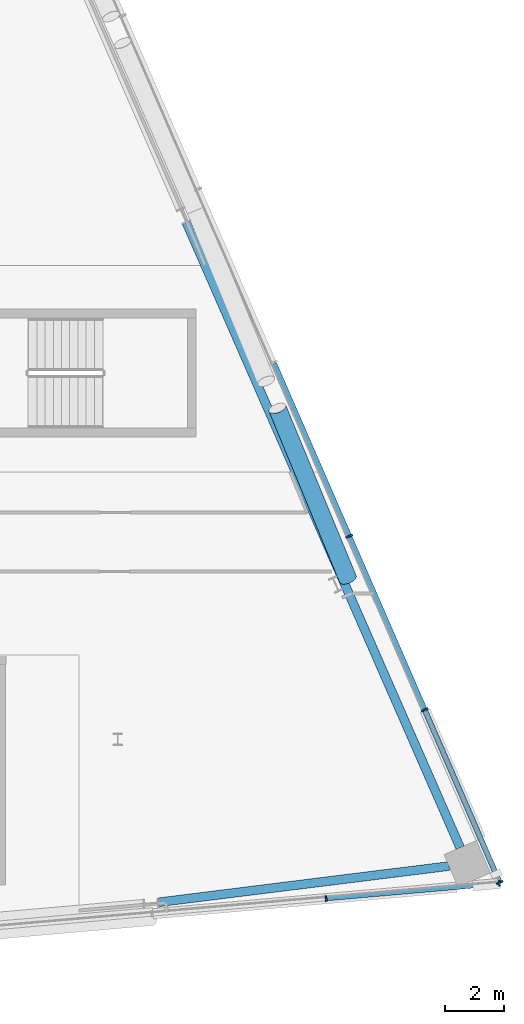
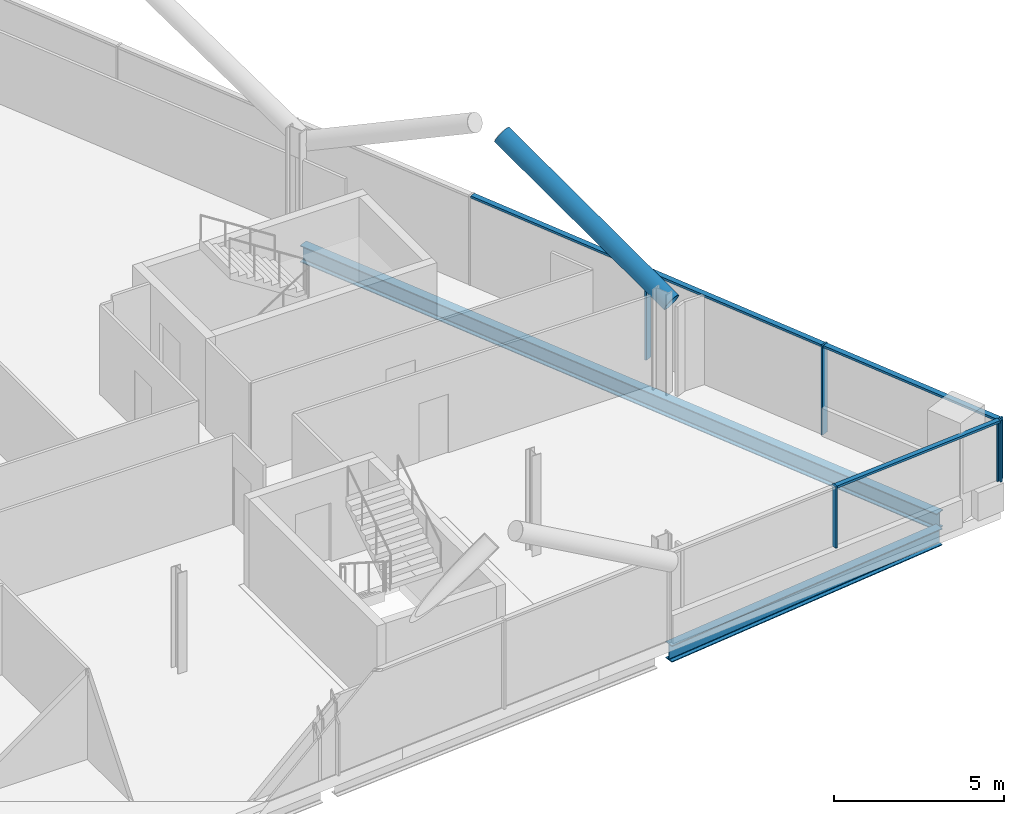
# One storey, part 12 of 27: 10 members, 2 beams, 2 elements without a shape of their own.
"""IFC4 building model written with IfcOpenShell, lengths in metres."""

from ifc_helpers import new_model, si_unit, direction, frame, origin, origin_2d, place, context, subcontext, project, spatial, rectangle, hollow_circle, i_section, extrude, material, material_profile, profile_set, type_object, element, aggregate, save


model = new_model("IFC4")

# Units and contexts
model_context = context("Model", 3, precision=1e-05, world=origin(), true_north=direction((0.0, 1.0)))
body_context = subcontext(model_context, "Body", "Model", "MODEL_VIEW")
ifc_project = project(units=[si_unit("LENGTHUNIT", "METRE"), si_unit("AREAUNIT", "SQUARE_METRE"), si_unit("VOLUMEUNIT", "CUBIC_METRE"), si_unit("PLANEANGLEUNIT", "RADIAN"), si_unit("MASSUNIT", "GRAM", prefix="KILO")], contexts=[model_context])

# Site, building, storey
site_placement = place(None, origin())
site = spatial("IfcSite", under=ifc_project, at=site_placement, CompositionType="ELEMENT")
building_placement = place(site_placement, origin())
building = spatial("IfcBuilding", under=site, at=building_placement, Name="Wharfspan Tower", CompositionType="ELEMENT")
storey_placement = place(building_placement, frame((0.0, 0.0, 210.699951)))
storey = spatial("IfcBuildingStorey", under=building, at=storey_placement, Name="L52", CompositionType="ELEMENT", Elevation=210.699951)

# Beams
ifc_material_1 = material(Name="Steel S355J2", Category="steel")
ifc_material_profile_1 = material_profile(ifc_material_1, i_section(OverallWidth=0.300049, OverallDepth=0.600098, WebThickness=0.015381, FlangeThickness=0.030029, FilletRadius=0.0271, at=origin_2d()))
ifc_profile_set_1 = profile_set([ifc_material_profile_1], Name="Steel S355J2")
beam_type = type_object("IfcBeamType", Name="Edge beam HEB 600", PredefinedType="SPANDREL", material=ifc_profile_set_1)
beam_1_placement = place(storey_placement, frame((73.391602, 5.955322, -0.699951), z_axis=(0.992301, 0.123848, 0.0), x_axis=(-0.123848, 0.992301, 0.0)))
element("IfcBeam", 1, at=beam_1_placement, inside=storey, type_object=beam_type, Name="Edge beam S2 L52 PS2.2 to MC4", PredefinedType="SPANDREL", context=body_context, shape_type="SweptSolid", body=[
    extrude(i_section(OverallWidth=0.300049, OverallDepth=0.600098, WebThickness=0.015381, FlangeThickness=0.030029, FilletRadius=0.0271, at=origin_2d()), origin(), (0.0, 0.0, 1.0), 9.951172),
])
beam_2_placement = place(storey_placement, frame((83.643799, 7.810547, -0.699951), z_axis=(-0.401141, 0.916016, 0.0), x_axis=(-0.916016, -0.401141, 0.0)))
element("IfcBeam", 2, at=beam_2_placement, inside=storey, type_object=beam_type, Name="Edge beam E L52 MC4 to PE.2", PredefinedType="SPANDREL", context=body_context, shape_type="SweptSolid", body=[
    extrude(i_section(OverallWidth=0.300049, OverallDepth=0.600098, WebThickness=0.015381, FlangeThickness=0.030029, FilletRadius=0.0271, at=origin_2d()), origin(), (0.0, 0.0, 1.0), 23.196045),
])

# Curtain wall, members
ifc_material_2 = material(Name="Aluminium 6063-T6", Category="aluminium")
curtain_wall_type_1 = type_object("IfcCurtainWallType", Name="CURTAIN WALL FACETED FRONT", PredefinedType="NOTDEFINED", material=ifc_material_2)
curtain_wall_1_placement = place(storey_placement, origin())
curtain_wall_1 = element("IfcCurtainWall", 3, at=curtain_wall_1_placement, inside=storey, type_object=curtain_wall_type_1, Name="Curtain wall S2", PredefinedType="NOTDEFINED")
ifc_material_profile_2 = material_profile(ifc_material_2, rectangle(XDim=0.199951, YDim=0.060059, at=origin_2d()))
ifc_profile_set_2 = profile_set([ifc_material_profile_2], Name="Aluminium 6063-T6")
member_type_1 = type_object("IfcMemberType", Name="MULLION FACETED FRONT 60x200", PredefinedType="MULLION", material=ifc_profile_set_2)
member_1_placement = place(storey_placement, frame((79.083252, 6.082275, 1.0), z_axis=(0.0, 0.0, 1.0), x_axis=(-0.087156, 0.996197, 0.0)))
member_1 = element("IfcMember", 4, at=member_1_placement, type_object=member_type_1, Name="Curtain wall S2 mullion 6", PredefinedType="MULLION", context=body_context, shape_type="SweptSolid", body=[
    extrude(rectangle(XDim=0.199951, YDim=0.060059, at=origin_2d()), origin(), (0.0, 0.0, 1.0), 2.199951),
])
member_2_placement = place(storey_placement, frame((84.970215, 6.597412, 1.0), z_axis=(0.0, 0.0, 1.0), x_axis=(-0.087156, 0.996197, 0.0)))
member_2 = element("IfcMember", 5, at=member_2_placement, type_object=member_type_1, Name="Curtain wall S2 mullion 7", PredefinedType="MULLION", context=body_context, shape_type="SweptSolid", body=[
    extrude(rectangle(XDim=0.199951, YDim=0.060059, at=origin_2d()), origin(), (0.0, 0.0, 1.0), 2.199951),
])

curtain_wall_type_2 = type_object("IfcCurtainWallType", Name="CURTAIN WALL PROW AND END", PredefinedType="NOTDEFINED", material=ifc_material_2)
curtain_wall_2_placement = place(storey_placement, origin())
curtain_wall_2 = element("IfcCurtainWall", 6, at=curtain_wall_2_placement, inside=storey, type_object=curtain_wall_type_2, Name="Curtain wall E", PredefinedType="NOTDEFINED")
ifc_material_profile_3 = material_profile(ifc_material_2, rectangle(XDim=0.23999, YDim=0.060059, at=origin_2d()))
ifc_profile_set_3 = profile_set([ifc_material_profile_3], Name="Aluminium 6063-T6")
member_type_2 = type_object("IfcMemberType", Name="MULLION PROW AND END 60x240", PredefinedType="MULLION", material=ifc_profile_set_3)
member_3_placement = place(storey_placement, frame((84.988037, 6.627441, 1.0), z_axis=(0.0, 0.0, 1.0), x_axis=(-0.917072, -0.398727, 0.0)))
member_3 = element("IfcMember", 7, at=member_3_placement, type_object=member_type_2, Name="Curtain wall E mullion 1", PredefinedType="MULLION", context=body_context, shape_type="SweptSolid", body=[
    extrude(rectangle(XDim=0.23999, YDim=0.060059, at=origin_2d()), origin(), (0.0, 0.0, 1.0), 2.199951),
])
member_4_placement = place(storey_placement, frame((82.434814, 12.5, 0.0), z_axis=(0.0, 0.0, 1.0), x_axis=(-0.917072, -0.398727, 0.0)))
member_4 = element("IfcMember", 8, at=member_4_placement, type_object=member_type_2, Name="Curtain wall E mullion 2", PredefinedType="MULLION", context=body_context, shape_type="SweptSolid", body=[
    extrude(rectangle(XDim=0.23999, YDim=0.060059, at=origin_2d()), origin(), (0.0, 0.0, 1.0), 3.199951),
])
member_5_placement = place(storey_placement, frame((79.869629, 18.399902, 0.0), z_axis=(0.0, 0.0, 1.0), x_axis=(-0.917072, -0.398727, 0.0)))
member_5 = element("IfcMember", 9, at=member_5_placement, type_object=member_type_2, Name="Curtain wall E mullion 3", PredefinedType="MULLION", context=body_context, shape_type="SweptSolid", body=[
    extrude(rectangle(XDim=0.23999, YDim=0.060059, at=origin_2d()), origin(), (0.0, 0.0, 1.0), 3.199951),
])

# Member
ifc_material_3 = material(Name="Steel S460NH", Category="steel")
ifc_material_profile_4 = material_profile(ifc_material_3, hollow_circle(Radius=0.304932, WallThickness=0.024902, at=origin_2d()))
ifc_profile_set_4 = profile_set([ifc_material_profile_4], Name="Steel S460NH")
member_type_3 = type_object("IfcMemberType", Name="Mega brace CHS 610x25", PredefinedType="BRACE", material=ifc_profile_set_4)
member_6_placement = place(storey_placement, frame((79.826904, 16.943115, 2.900146), z_axis=(-0.337047, 0.816368, 0.46898), x_axis=(-0.924317, -0.381615, 0.0)))
element("IfcMember", 10, at=member_6_placement, inside=storey, type_object=member_type_3, Name="Mega brace E5 L53 part 1", PredefinedType="BRACE", context=body_context, shape_type="SweptSolid", body=[
    extrude(hollow_circle(Radius=0.304932, WallThickness=0.024902, at=origin_2d()), origin(), (0.0, 0.0, 1.0), 7.105957),
])

ifc_material_profile_5 = material_profile(ifc_material_2, rectangle(XDim=0.159912, YDim=0.080078, at=origin_2d()))
ifc_profile_set_5 = profile_set([ifc_material_profile_5], Name="Aluminium 6063-T6")
member_type_4 = type_object("IfcMemberType", Name="TRANSOM FACETED FRONT 80x160", PredefinedType="USERDEFINED", material=ifc_profile_set_5)
member_7_placement = place(storey_placement, frame((79.113281, 6.084961, 3.160156), z_axis=(0.996195, 0.087152, 0.0), x_axis=(-0.087152, 0.996195, 0.0)))
member_7 = element("IfcMember", 11, at=member_7_placement, type_object=member_type_4, Name="Curtain wall S2 transom 6", ObjectType="TRANSOM", PredefinedType="USERDEFINED", context=body_context, shape_type="SweptSolid", body=[
    extrude(rectangle(XDim=0.159912, YDim=0.080078, at=origin_2d()), origin(), (0.0, 0.0, 1.0), 5.849121),
])

aggregate(curtain_wall_1, [member_1, member_2, member_7])

ifc_material_profile_6 = material_profile(ifc_material_2, rectangle(XDim=0.179932, YDim=0.080078, at=origin_2d()))
ifc_profile_set_6 = profile_set([ifc_material_profile_6], Name="Aluminium 6063-T6")
member_type_5 = type_object("IfcMemberType", Name="TRANSOM PROW AND END 80x180", PredefinedType="USERDEFINED", material=ifc_profile_set_6)
member_8_placement = place(storey_placement, frame((84.976074, 6.655029, 3.160156), z_axis=(-0.398726, 0.91707, 0.0), x_axis=(-0.91707, -0.398726, 0.0)))
member_8 = element("IfcMember", 12, at=member_8_placement, type_object=member_type_5, Name="Curtain wall E transom 1", ObjectType="TRANSOM", PredefinedType="USERDEFINED", context=body_context, shape_type="SweptSolid", body=[
    extrude(rectangle(XDim=0.179932, YDim=0.080078, at=origin_2d()), origin(), (0.0, 0.0, 1.0), 6.343506),
])

member_9_placement = place(storey_placement, frame((82.422852, 12.527588, 3.160156), z_axis=(-0.398722, 0.917072, 0.0), x_axis=(-0.917072, -0.398722, 0.0)))
member_9 = element("IfcMember", 13, at=member_9_placement, type_object=member_type_5, Name="Curtain wall E transom 2", ObjectType="TRANSOM", PredefinedType="USERDEFINED", context=body_context, shape_type="SweptSolid", body=[
    extrude(rectangle(XDim=0.179932, YDim=0.080078, at=origin_2d()), origin(), (0.0, 0.0, 1.0), 6.373535),
])

member_10_placement = place(storey_placement, frame((79.857666, 18.42749, 3.160156), z_axis=(-0.398722, 0.917072, 0.0), x_axis=(-0.917072, -0.398722, 0.0)))
member_10 = element("IfcMember", 14, at=member_10_placement, type_object=member_type_5, Name="Curtain wall E transom 3", ObjectType="TRANSOM", PredefinedType="USERDEFINED", context=body_context, shape_type="SweptSolid", body=[
    extrude(rectangle(XDim=0.179932, YDim=0.080078, at=origin_2d()), origin(), (0.0, 0.0, 1.0), 6.373535),
])

aggregate(curtain_wall_2, [member_3, member_4, member_5, member_8, member_9, member_10])

save(model, "model.ifc")
